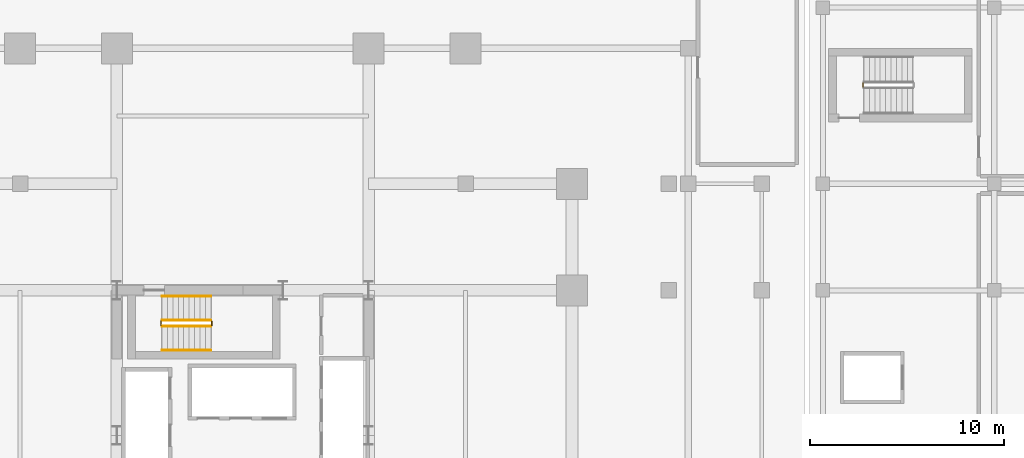
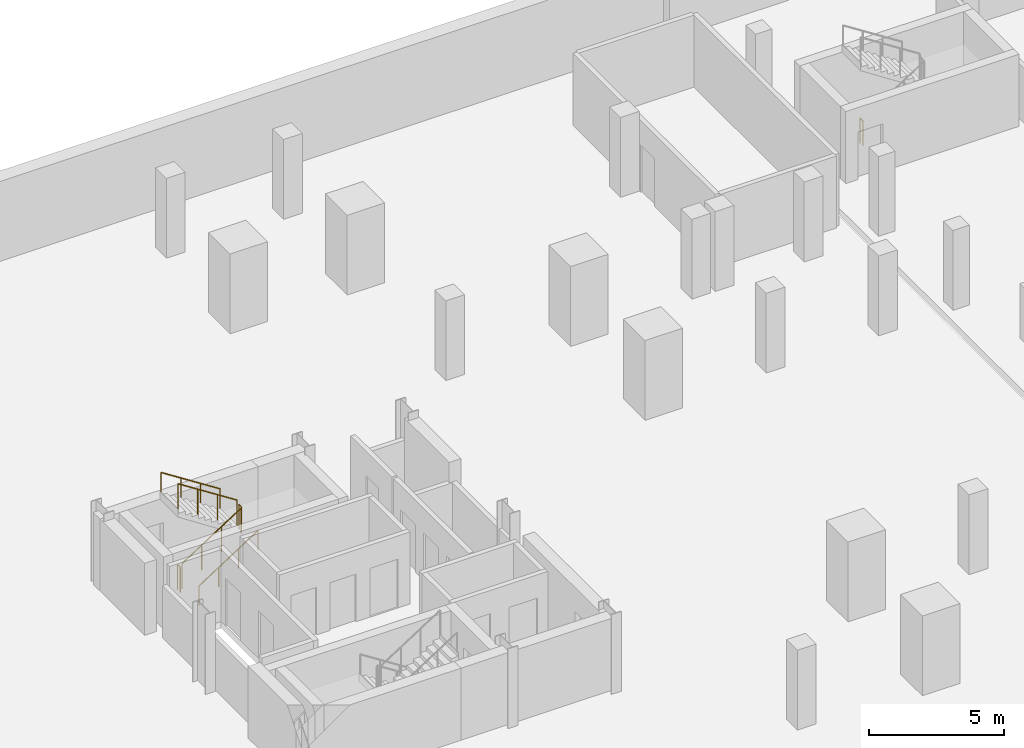
# One storey, part 9 of 11: 7 railings.
"""IFC4 building model written with IfcOpenShell, lengths in metres."""

from ifc_helpers import new_model, si_unit, direction, frame, origin, origin_2d, place, context, subcontext, project, spatial, circle, extrude, material, type_object, element, save


model = new_model("IFC4")

# Units and contexts
model_context = context("Model", 3, precision=1e-05, world=origin(), true_north=direction((0.0, 1.0)))
body_context = subcontext(model_context, "Body", "Model", "MODEL_VIEW")
ifc_project = project(units=[si_unit("LENGTHUNIT", "METRE"), si_unit("AREAUNIT", "SQUARE_METRE"), si_unit("VOLUMEUNIT", "CUBIC_METRE"), si_unit("PLANEANGLEUNIT", "RADIAN"), si_unit("MASSUNIT", "GRAM", prefix="KILO")], contexts=[model_context])

# Site, building, storey
site_placement = place(None, origin())
site = spatial("IfcSite", under=ifc_project, at=site_placement, CompositionType="ELEMENT")
building_placement = place(site_placement, origin())
building = spatial("IfcBuilding", under=site, at=building_placement, Name="Barlavira Tower and Art Museum", CompositionType="ELEMENT")
storey_placement = place(building_placement, frame((0.0, 0.0, -3.60009765625)))
storey = spatial("IfcBuildingStorey", under=building, at=storey_placement, Name="B01", CompositionType="ELEMENT", Elevation=-3.60009765625)

# Railings
ifc_material = material(Name="Brushed stainless steel", Category="steel")
railing_type_1 = type_object("IfcRailingType", Name="Interior Void and Landing Guard Railing 1150", PredefinedType="GUARDRAIL", material=ifc_material)
railing_1_placement = place(storey_placement, frame((-4.169921875, 5.64990234375, 0.18017578125)))
element("IfcRailing", 1, at=railing_1_placement, inside=storey, type_object=railing_type_1, Name="B01 ST-T2 stair guard 1", PredefinedType="GUARDRAIL", context=body_context, shape_type="SweptSolid", body=[
    extrude(circle(Radius=0.02392578125, at=origin_2d()), frame((0.0, 0.0, 1.1259765625), z_axis=(0.841199657755, 0.0, 0.540724639528), x_axis=(0.0, 1.0, 0.0)), (0.0, 0.0, 1.0), 2.995849609375),
    extrude(circle(Radius=0.02099609375, at=origin_2d()), origin(), (0.0, 0.0, 1.0), 1.101806640625),
    extrude(circle(Radius=0.02099609375, at=origin_2d()), frame((0.840087890625, 0.0, 0.5400390625)), (0.0, 0.0, 1.0), 1.101806640625),
    extrude(circle(Radius=0.02099609375, at=origin_2d()), frame((1.679931640625, 0.0, 1.079833984375)), (0.0, 0.0, 1.0), 1.101806640625),
    extrude(circle(Radius=0.02099609375, at=origin_2d()), frame((2.52001953125, 0.0, 1.619873046875)), (0.0, 0.0, 1.0), 1.101806640625),
])
railing_2_placement = place(storey_placement, frame((-1.60009765625, 5.699951171875, 1.800048828125)))
element("IfcRailing", 2, at=railing_2_placement, inside=storey, type_object=railing_type_1, Name="B01 ST-T2 stair guard 2", PredefinedType="GUARDRAIL", context=body_context, shape_type="SweptSolid", body=[
    extrude(circle(Radius=0.02392578125, at=origin_2d()), frame((0.0, 0.0, 1.1259765625), z_axis=(0.0, 1.0, 0.0), x_axis=(-1.0, 0.0, 0.0)), (0.0, 0.0, 1.0), 0.199951171875),
    extrude(circle(Radius=0.02099609375, at=origin_2d()), origin(), (0.0, 0.0, 1.0), 1.101806640625),
    extrude(circle(Radius=0.02099609375, at=origin_2d()), frame((0.0, 0.199951171875, 0.0)), (0.0, 0.0, 1.0), 1.101806640625),
])
railing_3_placement = place(storey_placement, frame((-1.64990234375, 5.949951171875, 1.97998046875)))
element("IfcRailing", 3, at=railing_3_placement, inside=storey, type_object=railing_type_1, Name="B01 ST-T2 stair guard 3", PredefinedType="GUARDRAIL", context=body_context, shape_type="SweptSolid", body=[
    extrude(circle(Radius=0.02392578125, at=origin_2d()), frame((0.0, 0.0, 1.1259765625), z_axis=(-0.841162588446, 0.0, 0.540782303519), x_axis=(0.0, -1.0, 0.0)), (0.0, 0.0, 1.0), 2.995849609375),
    extrude(circle(Radius=0.02099609375, at=origin_2d()), origin(), (0.0, 0.0, 1.0), 1.101806640625),
    extrude(circle(Radius=0.02099609375, at=origin_2d()), frame((-0.840087890625, 0.0, 0.5400390625)), (0.0, 0.0, 1.0), 1.101806640625),
    extrude(circle(Radius=0.02099609375, at=origin_2d()), frame((-1.679931640625, 0.0, 1.080078125)), (0.0, 0.0, 1.0), 1.101806640625),
    extrude(circle(Radius=0.02099609375, at=origin_2d()), frame((-2.52001953125, 0.0, 1.6201171875)), (0.0, 0.0, 1.0), 1.101806640625),
])
for number, where, name in (
    (4, (-4.219970703125, 5.699951171875, 0.0), "B01 ST-T2 stair guard 4"),
    (5, (32.02001953125, 18.0, 0.0), "B01 ST-M2 stair guard 4"),
):
    element("IfcRailing", number, at=place(storey_placement, frame(where)), inside=storey, type_object=railing_type_1, Name=name, PredefinedType="GUARDRAIL", context=body_context, shape_type="SweptSolid", body=[
        extrude(circle(Radius=0.02392578125, at=origin_2d()), frame((0.0, 0.0, 1.1259765625), z_axis=(0.0, 1.0, 0.0), x_axis=(-1.0, 0.0, 0.0)), (0.0, 0.0, 1.0), 0.199951171875),
        extrude(circle(Radius=0.02099609375, at=origin_2d()), origin(), (0.0, 0.0, 1.0), 1.101806640625),
        extrude(circle(Radius=0.02099609375, at=origin_2d()), frame((0.0, 0.199951171875, 0.0)), (0.0, 0.0, 1.0), 1.101806640625),
    ])
railing_type_2 = type_object("IfcRailingType", Name="Stair Pitch Tubular Steel Handrail 920", PredefinedType="HANDRAIL", material=ifc_material)
railing_4_placement = place(storey_placement, frame((-4.169921875, 4.39990234375, 0.18017578125)))
element("IfcRailing", 6, at=railing_4_placement, inside=storey, type_object=railing_type_2, Name="B01 ST-T2 stair handrail 1", PredefinedType="HANDRAIL", context=body_context, shape_type="SweptSolid", body=[
    extrude(circle(Radius=0.02392578125, at=origin_2d()), frame((0.0, 0.0, 0.8759765625), z_axis=(0.841199657755, 0.0, 0.540724639528), x_axis=(0.0, 1.0, 0.0)), (0.0, 0.0, 1.0), 2.995849609375),
    extrude(circle(Radius=0.02099609375, at=origin_2d()), origin(), (0.0, 0.0, 1.0), 0.851806640625),
    extrude(circle(Radius=0.02099609375, at=origin_2d()), frame((0.840087890625, 0.0, 0.5400390625)), (0.0, 0.0, 1.0), 0.851806640625),
    extrude(circle(Radius=0.02099609375, at=origin_2d()), frame((1.679931640625, 0.0, 1.079833984375)), (0.0, 0.0, 1.0), 0.851806640625),
    extrude(circle(Radius=0.02099609375, at=origin_2d()), frame((2.52001953125, 0.0, 1.619873046875)), (0.0, 0.0, 1.0), 0.851806640625),
])
railing_5_placement = place(storey_placement, frame((-1.64990234375, 7.199951171875, 1.97998046875)))
element("IfcRailing", 7, at=railing_5_placement, inside=storey, type_object=railing_type_2, Name="B01 ST-T2 stair handrail 2", PredefinedType="HANDRAIL", context=body_context, shape_type="SweptSolid", body=[
    extrude(circle(Radius=0.02392578125, at=origin_2d()), frame((0.0, 0.0, 0.8759765625), z_axis=(-0.841162588446, 0.0, 0.540782303519), x_axis=(0.0, -1.0, 0.0)), (0.0, 0.0, 1.0), 2.995849609375),
    extrude(circle(Radius=0.02099609375, at=origin_2d()), origin(), (0.0, 0.0, 1.0), 0.851806640625),
    extrude(circle(Radius=0.02099609375, at=origin_2d()), frame((-0.840087890625, 0.0, 0.5400390625)), (0.0, 0.0, 1.0), 0.851806640625),
    extrude(circle(Radius=0.02099609375, at=origin_2d()), frame((-1.679931640625, 0.0, 1.080078125)), (0.0, 0.0, 1.0), 0.851806640625),
    extrude(circle(Radius=0.02099609375, at=origin_2d()), frame((-2.52001953125, 0.0, 1.6201171875)), (0.0, 0.0, 1.0), 0.851806640625),
])

save(model, "model.ifc")
